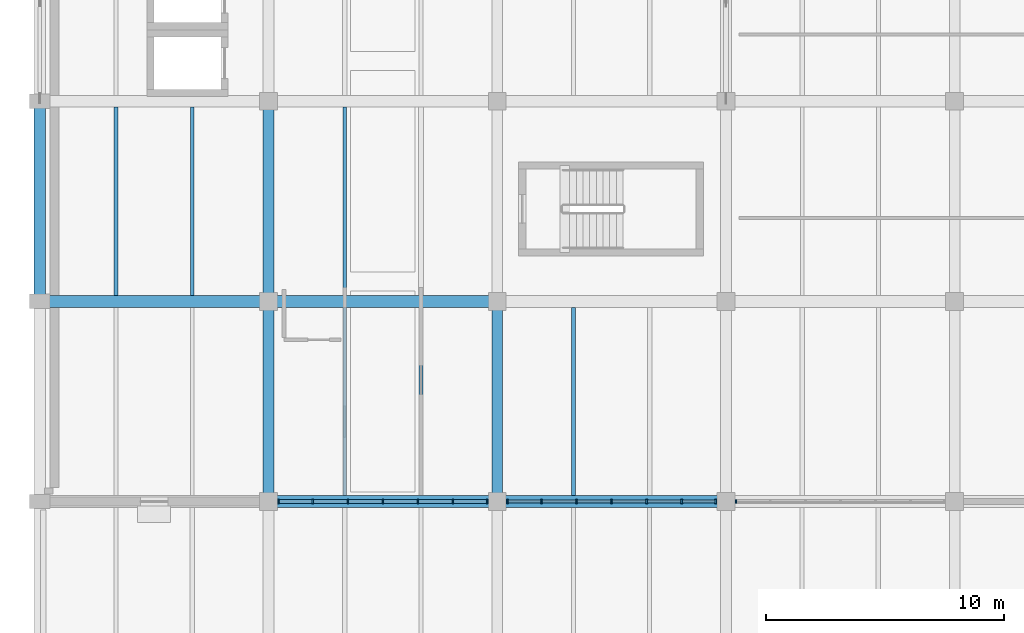
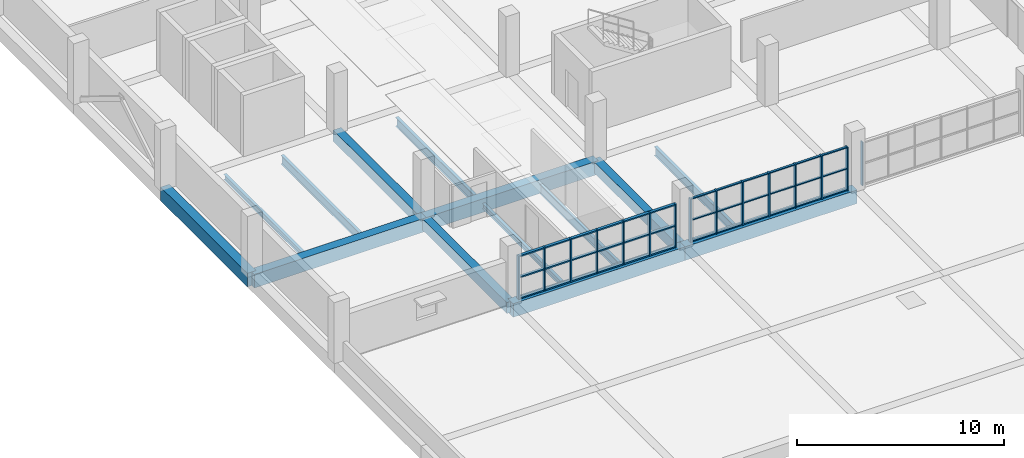
# One storey, part 22 of 147: 51 members, 14 beams, 3 elements without a shape of their own.
"""IFC4 building model written with IfcOpenShell, lengths in metres."""

from ifc_helpers import new_model, si_unit, direction, frame, origin, origin_2d, place, context, subcontext, project, spatial, rectangle, i_section, extrude, material, material_profile, profile_set, type_object, element, aggregate, save


model = new_model("IFC4")

# Units and contexts
model_context = context("Model", 3, precision=1e-05, world=origin(), true_north=direction((0.0, 1.0)))
body_context = subcontext(model_context, "Body", "Model", "MODEL_VIEW")
ifc_project = project(units=[si_unit("LENGTHUNIT", "METRE"), si_unit("AREAUNIT", "SQUARE_METRE"), si_unit("VOLUMEUNIT", "CUBIC_METRE"), si_unit("PLANEANGLEUNIT", "RADIAN"), si_unit("MASSUNIT", "GRAM", prefix="KILO")], contexts=[model_context])

# Site, building, storey
site_placement = place(None, origin())
site = spatial("IfcSite", under=ifc_project, at=site_placement, CompositionType="ELEMENT")
building_placement = place(site_placement, origin())
building = spatial("IfcBuilding", under=site, at=building_placement, Name="Oolite Switchyard Hospital", CompositionType="ELEMENT")
storey_placement = place(building_placement, frame((0.0, 0.0, 9.89990234375)))
storey = spatial("IfcBuildingStorey", under=building, at=storey_placement, Name="L02", CompositionType="ELEMENT", Elevation=9.89990234375)

# Beams
ifc_material_1 = material(Name="Concrete C40/50", Category="concrete")
ifc_material_profile_1 = material_profile(ifc_material_1, rectangle(XDim=0.449951171875, YDim=0.64990234375, at=origin_2d()), Name="RCB450X650")
ifc_profile_set_1 = profile_set([ifc_material_profile_1], Name="Concrete C40/50")
beam_type_1 = type_object("IfcBeamType", Name="BM-RC450X650", PredefinedType="BEAM", material=ifc_profile_set_1)
for number, where, z_axis, x_axis, name in (
    (1, (9.60009765625, 33.60009765625, -0.324951171875), (0.0, 1.0, 0.0), (-1.0, 0.0, 0.0), "L02 Y-Girder 1265"),
    (2, (9.60009765625, 42.0, -0.324951171875), (0.0, 1.0, 0.0), (-1.0, 0.0, 0.0), "L02 Y-Girder 1266"),
    (3, (19.199951171875, 33.60009765625, -0.324951171875), (0.0, 1.0, 0.0), (-1.0, 0.0, 0.0), "L02 Y-Girder 1281"),
):
    element("IfcBeam", number, at=place(storey_placement, frame(where, z_axis=z_axis, x_axis=x_axis)), inside=storey, type_object=beam_type_1, Name=name, PredefinedType="BEAM", context=body_context, shape_type="SweptSolid", body=[
        extrude(rectangle(XDim=0.449951171875, YDim=0.64990234375, at=origin_2d()), origin(), (0.0, 0.0, 1.0), 8.39990234375),
    ])
ifc_material_profile_2 = material_profile(ifc_material_1, rectangle(XDim=0.5, YDim=0.800048828125, at=origin_2d()), Name="RCB500X800")
ifc_profile_set_2 = profile_set([ifc_material_profile_2], Name="Concrete C40/50")
beam_type_2 = type_object("IfcBeamType", Name="BM-RC500X800", PredefinedType="BEAM", material=ifc_profile_set_2)
beam_1_placement = place(storey_placement, frame((9.60009765625, 33.60009765625, -0.39990234375), z_axis=(1.0, 0.0, 0.0), x_axis=(0.0, 1.0, 0.0)))
element("IfcBeam", 4, at=beam_1_placement, inside=storey, type_object=beam_type_2, Name="L02 X-Girder 1035", PredefinedType="BEAM", context=body_context, shape_type="SweptSolid", body=[
    extrude(rectangle(XDim=0.5, YDim=0.800048828125, at=origin_2d()), origin(), (0.0, 0.0, 1.0), 9.599853515625),
])
for number, where, z_axis, x_axis, name in (
    (5, (19.199951171875, 33.60009765625, -0.39990234375), (1.0, 0.0, 0.0), (0.0, 1.0, 0.0), "L02 X-Girder 1036"),
    (6, (0.0, 42.0, -0.39990234375), (1.0, 0.0, 0.0), (0.0, 1.0, 0.0), "L02 X-Girder 1050"),
):
    element("IfcBeam", number, at=place(storey_placement, frame(where, z_axis=z_axis, x_axis=x_axis)), inside=storey, type_object=beam_type_2, Name=name, PredefinedType="BEAM", context=body_context, shape_type="SweptSolid", body=[
        extrude(rectangle(XDim=0.5, YDim=0.800048828125, at=origin_2d()), origin(), (0.0, 0.0, 1.0), 9.60009765625),
    ])
beam_2_placement = place(storey_placement, frame((9.60009765625, 42.0, -0.39990234375), z_axis=(1.0, 0.0, 0.0), x_axis=(0.0, 1.0, 0.0)))
element("IfcBeam", 7, at=beam_2_placement, inside=storey, type_object=beam_type_2, Name="L02 X-Girder 1051", PredefinedType="BEAM", context=body_context, shape_type="SweptSolid", body=[
    extrude(rectangle(XDim=0.5, YDim=0.800048828125, at=origin_2d()), origin(), (0.0, 0.0, 1.0), 9.599853515625),
])
beam_3_placement = place(storey_placement, frame((0.0, 42.0, -0.39990234375), z_axis=(0.0, 1.0, 0.0), x_axis=(-1.0, 0.0, 0.0)))
element("IfcBeam", 8, at=beam_3_placement, inside=storey, type_object=beam_type_2, Name="L02 Y-Girder 1253", PredefinedType="BEAM", context=body_context, shape_type="SweptSolid", body=[
    extrude(rectangle(XDim=0.5, YDim=0.800048828125, at=origin_2d()), origin(), (0.0, 0.0, 1.0), 8.39990234375),
])
ifc_material_2 = material(Name="Steel ASTM A992 Grade 50", Category="steel")
ifc_material_profile_3 = material_profile(ifc_material_2, i_section(OverallWidth=0.1650390625, OverallDepth=0.31005859375, WebThickness=0.006103515625, FlangeThickness=0.010009765625, at=origin_2d()), Name="W12X26")
ifc_profile_set_3 = profile_set([ifc_material_profile_3], Name="Steel ASTM A992 Grade 50")
beam_type_3 = type_object("IfcBeamType", Name="BM-W12X26", PredefinedType="JOIST", material=ifc_profile_set_3)
for number, where, z_axis, x_axis, name in (
    (9, (3.199951171875, 42.25, -0.414794921875), (0.0, 1.0, 0.0), (-1.0, 0.0, 0.0), "L02 Secondary Steel Joist 1518"),
    (10, (12.800048828125, 33.85009765625, -0.414794921875), (0.0, 1.0, 0.0), (-1.0, 0.0, 0.0), "L02 Secondary Steel Joist 1540"),
):
    element("IfcBeam", number, at=place(storey_placement, frame(where, z_axis=z_axis, x_axis=x_axis)), inside=storey, type_object=beam_type_3, Name=name, PredefinedType="JOIST", context=body_context, shape_type="SweptSolid", body=[
        extrude(i_section(OverallWidth=0.1650390625, OverallDepth=0.31005859375, WebThickness=0.006103515625, FlangeThickness=0.010009765625, at=origin_2d()), origin(), (0.0, 0.0, 1.0), 7.89990234375),
    ])
ifc_material_profile_4 = material_profile(ifc_material_2, i_section(OverallWidth=0.166015625, OverallDepth=0.529052734375, WebThickness=0.010009765625, FlangeThickness=0.013916015625, at=origin_2d()), Name="W21X50")
ifc_profile_set_4 = profile_set([ifc_material_profile_4], Name="Steel ASTM A992 Grade 50")
beam_type_4 = type_object("IfcBeamType", Name="BM-W21X50", PredefinedType="JOIST", material=ifc_profile_set_4)
for number, where, z_axis, x_axis, name in (
    (11, (6.39990234375, 42.25, -0.52392578125), (0.0, 1.0, 0.0), (-1.0, 0.0, 0.0), "L02 Secondary Steel Joist 1519"),
    (12, (16.0, 33.85009765625, -0.52392578125), (0.0, 1.0, 0.0), (-1.0, 0.0, 0.0), "L02 Secondary Steel Joist 1541"),
    (13, (12.800048828125, 42.25, -0.52392578125), (0.0, 1.0, 0.0), (-1.0, 0.0, 0.0), "L02 Secondary Steel Joist 1542"),
    (14, (22.39990234375, 33.85009765625, -0.52392578125), (0.0, 1.0, 0.0), (-1.0, 0.0, 0.0), "L02 Secondary Steel Joist 1572"),
):
    element("IfcBeam", number, at=place(storey_placement, frame(where, z_axis=z_axis, x_axis=x_axis)), inside=storey, type_object=beam_type_4, Name=name, PredefinedType="JOIST", context=body_context, shape_type="SweptSolid", body=[
        extrude(i_section(OverallWidth=0.166015625, OverallDepth=0.529052734375, WebThickness=0.010009765625, FlangeThickness=0.013916015625, at=origin_2d()), origin(), (0.0, 0.0, 1.0), 7.89990234375),
    ])

# Curtain wall, member
ifc_material_3 = material(Name="Thermally broken aluminum frame with laminated impact glazing", Category="aluminium")
curtain_wall_type = type_object("IfcCurtainWallType", Name="CW-UNIT-96X36", PredefinedType="USERDEFINED", material=ifc_material_3)
curtain_wall_1_placement = place(storey_placement, origin())
curtain_wall_1 = element("IfcCurtainWall", 15, at=curtain_wall_1_placement, inside=storey, type_object=curtain_wall_type, Name="L02 Unitised Curtain Wall 223", ObjectType="UNITISED", PredefinedType="USERDEFINED")
ifc_material_4 = material(Name="Aluminium 6063-T6", Category="aluminium")
ifc_material_profile_5 = material_profile(ifc_material_4, rectangle(XDim=0.159912109375, YDim=0.06005859375, at=origin_2d()), Name="CWM60X160")
ifc_profile_set_5 = profile_set([ifc_material_profile_5], Name="Aluminium 6063-T6")
member_type_1 = type_object("IfcMemberType", Name="CW-MUL-180", PredefinedType="MULLION", material=ifc_profile_set_5)
member_1_placement = place(storey_placement, frame((29.219970703125, 33.60009765625, 0.0), z_axis=(0.0, 0.0, 1.0), x_axis=(0.0, -1.0, 0.0)))
member_1 = element("IfcMember", 16, at=member_1_placement, type_object=member_type_1, Name="CW-03 mullion 7", PredefinedType="MULLION", context=body_context, shape_type="SweptSolid", body=[
    extrude(rectangle(XDim=0.159912109375, YDim=0.06005859375, at=origin_2d()), origin(), (0.0, 0.0, 1.0), 2.570068359375),
])
aggregate(curtain_wall_1, [member_1])

# Curtain wall, members
curtain_wall_2_placement = place(storey_placement, origin())
curtain_wall_2 = element("IfcCurtainWall", 17, at=curtain_wall_2_placement, inside=storey, type_object=curtain_wall_type, Name="L02 Unitised Curtain Wall 221", ObjectType="UNITISED", PredefinedType="USERDEFINED")
ifc_material_profile_6 = material_profile(ifc_material_4, rectangle(XDim=0.179931640625, YDim=0.070068359375, at=origin_2d()), Name="CWM70X180")
ifc_profile_set_6 = profile_set([ifc_material_profile_6], Name="Aluminium 6063-T6")
member_type_2 = type_object("IfcMemberType", Name="CW-MUL-220", PredefinedType="MULLION", material=ifc_profile_set_6)
member_2_placement = place(storey_placement, frame((18.77490234375, 33.60009765625, 0.0), z_axis=(0.0, 0.0, 1.0), x_axis=(0.0, -1.0, 0.0)))
member_2 = element("IfcMember", 18, at=member_2_placement, type_object=member_type_2, Name="CW-03 mullion 1", PredefinedType="MULLION", context=body_context, shape_type="SweptSolid", body=[
    extrude(rectangle(XDim=0.179931640625, YDim=0.070068359375, at=origin_2d()), origin(), (0.0, 0.0, 1.0), 2.570068359375),
])
member_3_placement = place(storey_placement, frame((17.340087890625, 33.60009765625, 0.0), z_axis=(0.0, 0.0, 1.0), x_axis=(0.0, -1.0, 0.0)))
member_3 = element("IfcMember", 19, at=member_3_placement, type_object=member_type_2, Name="CW-03 mullion 2", PredefinedType="MULLION", context=body_context, shape_type="SweptSolid", body=[
    extrude(rectangle(XDim=0.179931640625, YDim=0.070068359375, at=origin_2d()), origin(), (0.0, 0.0, 1.0), 2.570068359375),
])
member_4_placement = place(storey_placement, frame((15.8701171875, 33.60009765625, 0.0), z_axis=(0.0, 0.0, 1.0), x_axis=(0.0, -1.0, 0.0)))
member_4 = element("IfcMember", 20, at=member_4_placement, type_object=member_type_2, Name="CW-03 mullion 3", PredefinedType="MULLION", context=body_context, shape_type="SweptSolid", body=[
    extrude(rectangle(XDim=0.179931640625, YDim=0.070068359375, at=origin_2d()), origin(), (0.0, 0.0, 1.0), 2.570068359375),
])
member_5_placement = place(storey_placement, frame((14.39990234375, 33.60009765625, 0.0), z_axis=(0.0, 0.0, 1.0), x_axis=(0.0, -1.0, 0.0)))
member_5 = element("IfcMember", 21, at=member_5_placement, type_object=member_type_2, Name="CW-03 mullion 4", PredefinedType="MULLION", context=body_context, shape_type="SweptSolid", body=[
    extrude(rectangle(XDim=0.179931640625, YDim=0.070068359375, at=origin_2d()), origin(), (0.0, 0.0, 1.0), 2.570068359375),
])
member_6_placement = place(storey_placement, frame((12.929931640625, 33.60009765625, 0.0), z_axis=(0.0, 0.0, 1.0), x_axis=(0.0, -1.0, 0.0)))
member_6 = element("IfcMember", 22, at=member_6_placement, type_object=member_type_2, Name="CW-03 mullion 5", PredefinedType="MULLION", context=body_context, shape_type="SweptSolid", body=[
    extrude(rectangle(XDim=0.179931640625, YDim=0.070068359375, at=origin_2d()), origin(), (0.0, 0.0, 1.0), 2.570068359375),
])
member_7_placement = place(storey_placement, frame((11.4599609375, 33.60009765625, 0.0), z_axis=(0.0, 0.0, 1.0), x_axis=(0.0, -1.0, 0.0)))
member_7 = element("IfcMember", 23, at=member_7_placement, type_object=member_type_2, Name="CW-03 mullion 6", PredefinedType="MULLION", context=body_context, shape_type="SweptSolid", body=[
    extrude(rectangle(XDim=0.179931640625, YDim=0.070068359375, at=origin_2d()), origin(), (0.0, 0.0, 1.0), 2.570068359375),
])
member_8_placement = place(storey_placement, frame((10.02490234375, 33.60009765625, 0.0), z_axis=(0.0, 0.0, 1.0), x_axis=(0.0, -1.0, 0.0)))
member_8 = element("IfcMember", 24, at=member_8_placement, type_object=member_type_2, Name="CW-03 mullion 7", PredefinedType="MULLION", context=body_context, shape_type="SweptSolid", body=[
    extrude(rectangle(XDim=0.179931640625, YDim=0.070068359375, at=origin_2d()), origin(), (0.0, 0.0, 1.0), 2.570068359375),
])

curtain_wall_3_placement = place(storey_placement, origin())
curtain_wall_3 = element("IfcCurtainWall", 25, at=curtain_wall_3_placement, inside=storey, type_object=curtain_wall_type, Name="L02 Unitised Curtain Wall 222", ObjectType="UNITISED", PredefinedType="USERDEFINED")
ifc_material_profile_7 = material_profile(ifc_material_4, rectangle(XDim=0.199951171875, YDim=0.074951171875, at=origin_2d()), Name="CWM75X200")
ifc_profile_set_7 = profile_set([ifc_material_profile_7], Name="Aluminium 6063-T6")
member_type_3 = type_object("IfcMemberType", Name="CW-MUL-260", PredefinedType="MULLION", material=ifc_profile_set_7)
member_9_placement = place(storey_placement, frame((28.37255859375, 33.60009765625, 0.0), z_axis=(0.0, 0.0, 1.0), x_axis=(0.0, -1.0, 0.0)))
member_9 = element("IfcMember", 26, at=member_9_placement, type_object=member_type_3, Name="CW-03 mullion 1", PredefinedType="MULLION", context=body_context, shape_type="SweptSolid", body=[
    extrude(rectangle(XDim=0.199951171875, YDim=0.074951171875, at=origin_2d()), origin(), (0.0, 0.0, 1.0), 2.570068359375),
])
member_10_placement = place(storey_placement, frame((26.93994140625, 33.60009765625, 0.0), z_axis=(0.0, 0.0, 1.0), x_axis=(0.0, -1.0, 0.0)))
member_10 = element("IfcMember", 27, at=member_10_placement, type_object=member_type_3, Name="CW-03 mullion 2", PredefinedType="MULLION", context=body_context, shape_type="SweptSolid", body=[
    extrude(rectangle(XDim=0.199951171875, YDim=0.074951171875, at=origin_2d()), origin(), (0.0, 0.0, 1.0), 2.570068359375),
])
member_11_placement = place(storey_placement, frame((25.469970703125, 33.60009765625, 0.0), z_axis=(0.0, 0.0, 1.0), x_axis=(0.0, -1.0, 0.0)))
member_11 = element("IfcMember", 28, at=member_11_placement, type_object=member_type_3, Name="CW-03 mullion 3", PredefinedType="MULLION", context=body_context, shape_type="SweptSolid", body=[
    extrude(rectangle(XDim=0.199951171875, YDim=0.074951171875, at=origin_2d()), origin(), (0.0, 0.0, 1.0), 2.570068359375),
])
member_12_placement = place(storey_placement, frame((24.0, 33.60009765625, 0.0), z_axis=(0.0, 0.0, 1.0), x_axis=(0.0, -1.0, 0.0)))
member_12 = element("IfcMember", 29, at=member_12_placement, type_object=member_type_3, Name="CW-03 mullion 4", PredefinedType="MULLION", context=body_context, shape_type="SweptSolid", body=[
    extrude(rectangle(XDim=0.199951171875, YDim=0.074951171875, at=origin_2d()), origin(), (0.0, 0.0, 1.0), 2.570068359375),
])
member_13_placement = place(storey_placement, frame((22.530029296875, 33.60009765625, 0.0), z_axis=(0.0, 0.0, 1.0), x_axis=(0.0, -1.0, 0.0)))
member_13 = element("IfcMember", 30, at=member_13_placement, type_object=member_type_3, Name="CW-03 mullion 5", PredefinedType="MULLION", context=body_context, shape_type="SweptSolid", body=[
    extrude(rectangle(XDim=0.199951171875, YDim=0.074951171875, at=origin_2d()), origin(), (0.0, 0.0, 1.0), 2.570068359375),
])
member_14_placement = place(storey_placement, frame((21.06005859375, 33.60009765625, 0.0), z_axis=(0.0, 0.0, 1.0), x_axis=(0.0, -1.0, 0.0)))
member_14 = element("IfcMember", 31, at=member_14_placement, type_object=member_type_3, Name="CW-03 mullion 6", PredefinedType="MULLION", context=body_context, shape_type="SweptSolid", body=[
    extrude(rectangle(XDim=0.199951171875, YDim=0.074951171875, at=origin_2d()), origin(), (0.0, 0.0, 1.0), 2.570068359375),
])
member_15_placement = place(storey_placement, frame((19.62744140625, 33.60009765625, 0.0), z_axis=(0.0, 0.0, 1.0), x_axis=(0.0, -1.0, 0.0)))
member_15 = element("IfcMember", 32, at=member_15_placement, type_object=member_type_3, Name="CW-03 mullion 7", PredefinedType="MULLION", context=body_context, shape_type="SweptSolid", body=[
    extrude(rectangle(XDim=0.199951171875, YDim=0.074951171875, at=origin_2d()), origin(), (0.0, 0.0, 1.0), 2.570068359375),
])
ifc_material_profile_8 = material_profile(ifc_material_4, rectangle(XDim=0.1201171875, YDim=0.06005859375, at=origin_2d()), Name="CWT60X120")
ifc_profile_set_8 = profile_set([ifc_material_profile_8], Name="Aluminium 6063-T6")
member_type_4 = type_object("IfcMemberType", Name="CW-TRN-150", PredefinedType="USERDEFINED", material=ifc_profile_set_8)
member_16_placement = place(storey_placement, frame((28.3349609375, 33.60009765625, 0.030029296875), z_axis=(-1.0, 0.0, 0.0), x_axis=(0.0, -1.0, 0.0)))
member_16 = element("IfcMember", 33, at=member_16_placement, type_object=member_type_4, Name="CW-03 transom 1.1", ObjectType="TRANSOM", PredefinedType="USERDEFINED", context=body_context, shape_type="SweptSolid", body=[
    extrude(rectangle(XDim=0.1201171875, YDim=0.06005859375, at=origin_2d()), origin(), (0.0, 0.0, 1.0), 1.357421875),
])
member_17_placement = place(storey_placement, frame((28.3349609375, 33.60009765625, 1.28515625), z_axis=(-1.0, 0.0, 0.0), x_axis=(0.0, -1.0, 0.0)))
member_17 = element("IfcMember", 34, at=member_17_placement, type_object=member_type_4, Name="CW-03 transom 1.2", ObjectType="TRANSOM", PredefinedType="USERDEFINED", context=body_context, shape_type="SweptSolid", body=[
    extrude(rectangle(XDim=0.1201171875, YDim=0.06005859375, at=origin_2d()), origin(), (0.0, 0.0, 1.0), 1.357421875),
])
member_18_placement = place(storey_placement, frame((28.3349609375, 33.60009765625, 2.5400390625), z_axis=(-1.0, 0.0, 0.0), x_axis=(0.0, -1.0, 0.0)))
member_18 = element("IfcMember", 35, at=member_18_placement, type_object=member_type_4, Name="CW-03 transom 1.3", ObjectType="TRANSOM", PredefinedType="USERDEFINED", context=body_context, shape_type="SweptSolid", body=[
    extrude(rectangle(XDim=0.1201171875, YDim=0.06005859375, at=origin_2d()), origin(), (0.0, 0.0, 1.0), 1.357421875),
])
member_19_placement = place(storey_placement, frame((26.902587890625, 33.60009765625, 0.030029296875), z_axis=(-1.0, 0.0, 0.0), x_axis=(0.0, -1.0, 0.0)))
member_19 = element("IfcMember", 36, at=member_19_placement, type_object=member_type_4, Name="CW-03 transom 2.1", ObjectType="TRANSOM", PredefinedType="USERDEFINED", context=body_context, shape_type="SweptSolid", body=[
    extrude(rectangle(XDim=0.1201171875, YDim=0.06005859375, at=origin_2d()), origin(), (0.0, 0.0, 1.0), 1.39501953125),
])
member_20_placement = place(storey_placement, frame((26.902587890625, 33.60009765625, 1.28515625), z_axis=(-1.0, 0.0, 0.0), x_axis=(0.0, -1.0, 0.0)))
member_20 = element("IfcMember", 37, at=member_20_placement, type_object=member_type_4, Name="CW-03 transom 2.2", ObjectType="TRANSOM", PredefinedType="USERDEFINED", context=body_context, shape_type="SweptSolid", body=[
    extrude(rectangle(XDim=0.1201171875, YDim=0.06005859375, at=origin_2d()), origin(), (0.0, 0.0, 1.0), 1.39501953125),
])
member_21_placement = place(storey_placement, frame((26.902587890625, 33.60009765625, 2.5400390625), z_axis=(-1.0, 0.0, 0.0), x_axis=(0.0, -1.0, 0.0)))
member_21 = element("IfcMember", 38, at=member_21_placement, type_object=member_type_4, Name="CW-03 transom 2.3", ObjectType="TRANSOM", PredefinedType="USERDEFINED", context=body_context, shape_type="SweptSolid", body=[
    extrude(rectangle(XDim=0.1201171875, YDim=0.06005859375, at=origin_2d()), origin(), (0.0, 0.0, 1.0), 1.39501953125),
])
member_22_placement = place(storey_placement, frame((25.4326171875, 33.60009765625, 0.030029296875), z_axis=(-1.0, 0.0, 0.0), x_axis=(0.0, -1.0, 0.0)))
member_22 = element("IfcMember", 39, at=member_22_placement, type_object=member_type_4, Name="CW-03 transom 3.1", ObjectType="TRANSOM", PredefinedType="USERDEFINED", context=body_context, shape_type="SweptSolid", body=[
    extrude(rectangle(XDim=0.1201171875, YDim=0.06005859375, at=origin_2d()), origin(), (0.0, 0.0, 1.0), 1.39501953125),
])
member_23_placement = place(storey_placement, frame((25.4326171875, 33.60009765625, 1.28515625), z_axis=(-1.0, 0.0, 0.0), x_axis=(0.0, -1.0, 0.0)))
member_23 = element("IfcMember", 40, at=member_23_placement, type_object=member_type_4, Name="CW-03 transom 3.2", ObjectType="TRANSOM", PredefinedType="USERDEFINED", context=body_context, shape_type="SweptSolid", body=[
    extrude(rectangle(XDim=0.1201171875, YDim=0.06005859375, at=origin_2d()), origin(), (0.0, 0.0, 1.0), 1.39501953125),
])
member_24_placement = place(storey_placement, frame((25.4326171875, 33.60009765625, 2.5400390625), z_axis=(-1.0, 0.0, 0.0), x_axis=(0.0, -1.0, 0.0)))
member_24 = element("IfcMember", 41, at=member_24_placement, type_object=member_type_4, Name="CW-03 transom 3.3", ObjectType="TRANSOM", PredefinedType="USERDEFINED", context=body_context, shape_type="SweptSolid", body=[
    extrude(rectangle(XDim=0.1201171875, YDim=0.06005859375, at=origin_2d()), origin(), (0.0, 0.0, 1.0), 1.39501953125),
])
member_25_placement = place(storey_placement, frame((23.96240234375, 33.60009765625, 0.030029296875), z_axis=(-1.0, 0.0, 0.0), x_axis=(0.0, -1.0, 0.0)))
member_25 = element("IfcMember", 42, at=member_25_placement, type_object=member_type_4, Name="CW-03 transom 4.1", ObjectType="TRANSOM", PredefinedType="USERDEFINED", context=body_context, shape_type="SweptSolid", body=[
    extrude(rectangle(XDim=0.1201171875, YDim=0.06005859375, at=origin_2d()), origin(), (0.0, 0.0, 1.0), 1.39501953125),
])
member_26_placement = place(storey_placement, frame((23.96240234375, 33.60009765625, 1.28515625), z_axis=(-1.0, 0.0, 0.0), x_axis=(0.0, -1.0, 0.0)))
member_26 = element("IfcMember", 43, at=member_26_placement, type_object=member_type_4, Name="CW-03 transom 4.2", ObjectType="TRANSOM", PredefinedType="USERDEFINED", context=body_context, shape_type="SweptSolid", body=[
    extrude(rectangle(XDim=0.1201171875, YDim=0.06005859375, at=origin_2d()), origin(), (0.0, 0.0, 1.0), 1.39501953125),
])
member_27_placement = place(storey_placement, frame((23.96240234375, 33.60009765625, 2.5400390625), z_axis=(-1.0, 0.0, 0.0), x_axis=(0.0, -1.0, 0.0)))
member_27 = element("IfcMember", 44, at=member_27_placement, type_object=member_type_4, Name="CW-03 transom 4.3", ObjectType="TRANSOM", PredefinedType="USERDEFINED", context=body_context, shape_type="SweptSolid", body=[
    extrude(rectangle(XDim=0.1201171875, YDim=0.06005859375, at=origin_2d()), origin(), (0.0, 0.0, 1.0), 1.39501953125),
])
member_28_placement = place(storey_placement, frame((22.492431640625, 33.60009765625, 0.030029296875), z_axis=(-1.0, 0.0, 0.0), x_axis=(0.0, -1.0, 0.0)))
member_28 = element("IfcMember", 45, at=member_28_placement, type_object=member_type_4, Name="CW-03 transom 5.1", ObjectType="TRANSOM", PredefinedType="USERDEFINED", context=body_context, shape_type="SweptSolid", body=[
    extrude(rectangle(XDim=0.1201171875, YDim=0.06005859375, at=origin_2d()), origin(), (0.0, 0.0, 1.0), 1.39501953125),
])
member_29_placement = place(storey_placement, frame((22.492431640625, 33.60009765625, 1.28515625), z_axis=(-1.0, 0.0, 0.0), x_axis=(0.0, -1.0, 0.0)))
member_29 = element("IfcMember", 46, at=member_29_placement, type_object=member_type_4, Name="CW-03 transom 5.2", ObjectType="TRANSOM", PredefinedType="USERDEFINED", context=body_context, shape_type="SweptSolid", body=[
    extrude(rectangle(XDim=0.1201171875, YDim=0.06005859375, at=origin_2d()), origin(), (0.0, 0.0, 1.0), 1.39501953125),
])
member_30_placement = place(storey_placement, frame((22.492431640625, 33.60009765625, 2.5400390625), z_axis=(-1.0, 0.0, 0.0), x_axis=(0.0, -1.0, 0.0)))
member_30 = element("IfcMember", 47, at=member_30_placement, type_object=member_type_4, Name="CW-03 transom 5.3", ObjectType="TRANSOM", PredefinedType="USERDEFINED", context=body_context, shape_type="SweptSolid", body=[
    extrude(rectangle(XDim=0.1201171875, YDim=0.06005859375, at=origin_2d()), origin(), (0.0, 0.0, 1.0), 1.39501953125),
])
member_31_placement = place(storey_placement, frame((21.0224609375, 33.60009765625, 0.030029296875), z_axis=(-1.0, 0.0, 0.0), x_axis=(0.0, -1.0, 0.0)))
member_31 = element("IfcMember", 48, at=member_31_placement, type_object=member_type_4, Name="CW-03 transom 6.1", ObjectType="TRANSOM", PredefinedType="USERDEFINED", context=body_context, shape_type="SweptSolid", body=[
    extrude(rectangle(XDim=0.1201171875, YDim=0.06005859375, at=origin_2d()), origin(), (0.0, 0.0, 1.0), 1.357421875),
])
member_32_placement = place(storey_placement, frame((21.0224609375, 33.60009765625, 1.28515625), z_axis=(-1.0, 0.0, 0.0), x_axis=(0.0, -1.0, 0.0)))
member_32 = element("IfcMember", 49, at=member_32_placement, type_object=member_type_4, Name="CW-03 transom 6.2", ObjectType="TRANSOM", PredefinedType="USERDEFINED", context=body_context, shape_type="SweptSolid", body=[
    extrude(rectangle(XDim=0.1201171875, YDim=0.06005859375, at=origin_2d()), origin(), (0.0, 0.0, 1.0), 1.357421875),
])
member_33_placement = place(storey_placement, frame((21.0224609375, 33.60009765625, 2.5400390625), z_axis=(-1.0, 0.0, 0.0), x_axis=(0.0, -1.0, 0.0)))
member_33 = element("IfcMember", 50, at=member_33_placement, type_object=member_type_4, Name="CW-03 transom 6.3", ObjectType="TRANSOM", PredefinedType="USERDEFINED", context=body_context, shape_type="SweptSolid", body=[
    extrude(rectangle(XDim=0.1201171875, YDim=0.06005859375, at=origin_2d()), origin(), (0.0, 0.0, 1.0), 1.357421875),
])
aggregate(curtain_wall_3, [member_9, member_10, member_11, member_12, member_13, member_14, member_15, member_16, member_17, member_18, member_19, member_20, member_21, member_22, member_23, member_24, member_25, member_26, member_27, member_28, member_29, member_30, member_31, member_32, member_33])

# Member
ifc_material_profile_9 = material_profile(ifc_material_4, rectangle(XDim=0.159912109375, YDim=0.074951171875, at=origin_2d()), Name="CWT75X160")
ifc_profile_set_9 = profile_set([ifc_material_profile_9], Name="Aluminium 6063-T6")
member_type_5 = type_object("IfcMemberType", Name="CW-TRN-180", PredefinedType="USERDEFINED", material=ifc_profile_set_9)
member_34_placement = place(storey_placement, frame((18.739990234375, 33.60009765625, 0.03759765625), z_axis=(-1.0, 0.0, 0.0), x_axis=(0.0, -1.0, 0.0)))
member_34 = element("IfcMember", 51, at=member_34_placement, type_object=member_type_5, Name="CW-03 transom 1.1", ObjectType="TRANSOM", PredefinedType="USERDEFINED", context=body_context, shape_type="SweptSolid", body=[
    extrude(rectangle(XDim=0.159912109375, YDim=0.074951171875, at=origin_2d()), origin(), (0.0, 0.0, 1.0), 1.364990234375),
])

member_35_placement = place(storey_placement, frame((18.739990234375, 33.60009765625, 1.28515625), z_axis=(-1.0, 0.0, 0.0), x_axis=(0.0, -1.0, 0.0)))
member_35 = element("IfcMember", 52, at=member_35_placement, type_object=member_type_5, Name="CW-03 transom 1.2", ObjectType="TRANSOM", PredefinedType="USERDEFINED", context=body_context, shape_type="SweptSolid", body=[
    extrude(rectangle(XDim=0.159912109375, YDim=0.074951171875, at=origin_2d()), origin(), (0.0, 0.0, 1.0), 1.364990234375),
])

member_36_placement = place(storey_placement, frame((18.739990234375, 33.60009765625, 2.53271484375), z_axis=(-1.0, 0.0, 0.0), x_axis=(0.0, -1.0, 0.0)))
member_36 = element("IfcMember", 53, at=member_36_placement, type_object=member_type_5, Name="CW-03 transom 1.3", ObjectType="TRANSOM", PredefinedType="USERDEFINED", context=body_context, shape_type="SweptSolid", body=[
    extrude(rectangle(XDim=0.159912109375, YDim=0.074951171875, at=origin_2d()), origin(), (0.0, 0.0, 1.0), 1.364990234375),
])

member_37_placement = place(storey_placement, frame((17.304931640625, 33.60009765625, 0.03759765625), z_axis=(-1.0, 0.0, 0.0), x_axis=(0.0, -1.0, 0.0)))
member_37 = element("IfcMember", 54, at=member_37_placement, type_object=member_type_5, Name="CW-03 transom 2.1", ObjectType="TRANSOM", PredefinedType="USERDEFINED", context=body_context, shape_type="SweptSolid", body=[
    extrude(rectangle(XDim=0.159912109375, YDim=0.074951171875, at=origin_2d()), origin(), (0.0, 0.0, 1.0), 1.39990234375),
])

member_38_placement = place(storey_placement, frame((17.304931640625, 33.60009765625, 1.28515625), z_axis=(-1.0, 0.0, 0.0), x_axis=(0.0, -1.0, 0.0)))
member_38 = element("IfcMember", 55, at=member_38_placement, type_object=member_type_5, Name="CW-03 transom 2.2", ObjectType="TRANSOM", PredefinedType="USERDEFINED", context=body_context, shape_type="SweptSolid", body=[
    extrude(rectangle(XDim=0.159912109375, YDim=0.074951171875, at=origin_2d()), origin(), (0.0, 0.0, 1.0), 1.39990234375),
])

member_39_placement = place(storey_placement, frame((17.304931640625, 33.60009765625, 2.53271484375), z_axis=(-1.0, 0.0, 0.0), x_axis=(0.0, -1.0, 0.0)))
member_39 = element("IfcMember", 56, at=member_39_placement, type_object=member_type_5, Name="CW-03 transom 2.3", ObjectType="TRANSOM", PredefinedType="USERDEFINED", context=body_context, shape_type="SweptSolid", body=[
    extrude(rectangle(XDim=0.159912109375, YDim=0.074951171875, at=origin_2d()), origin(), (0.0, 0.0, 1.0), 1.39990234375),
])

member_40_placement = place(storey_placement, frame((15.8349609375, 33.60009765625, 0.03759765625), z_axis=(-1.0, 0.0, 0.0), x_axis=(0.0, -1.0, 0.0)))
member_40 = element("IfcMember", 57, at=member_40_placement, type_object=member_type_5, Name="CW-03 transom 3.1", ObjectType="TRANSOM", PredefinedType="USERDEFINED", context=body_context, shape_type="SweptSolid", body=[
    extrude(rectangle(XDim=0.159912109375, YDim=0.074951171875, at=origin_2d()), origin(), (0.0, 0.0, 1.0), 1.39990234375),
])

member_41_placement = place(storey_placement, frame((15.8349609375, 33.60009765625, 1.28515625), z_axis=(-1.0, 0.0, 0.0), x_axis=(0.0, -1.0, 0.0)))
member_41 = element("IfcMember", 58, at=member_41_placement, type_object=member_type_5, Name="CW-03 transom 3.2", ObjectType="TRANSOM", PredefinedType="USERDEFINED", context=body_context, shape_type="SweptSolid", body=[
    extrude(rectangle(XDim=0.159912109375, YDim=0.074951171875, at=origin_2d()), origin(), (0.0, 0.0, 1.0), 1.39990234375),
])

member_42_placement = place(storey_placement, frame((15.8349609375, 33.60009765625, 2.53271484375), z_axis=(-1.0, 0.0, 0.0), x_axis=(0.0, -1.0, 0.0)))
member_42 = element("IfcMember", 59, at=member_42_placement, type_object=member_type_5, Name="CW-03 transom 3.3", ObjectType="TRANSOM", PredefinedType="USERDEFINED", context=body_context, shape_type="SweptSolid", body=[
    extrude(rectangle(XDim=0.159912109375, YDim=0.074951171875, at=origin_2d()), origin(), (0.0, 0.0, 1.0), 1.39990234375),
])

member_43_placement = place(storey_placement, frame((14.364990234375, 33.60009765625, 0.03759765625), z_axis=(-1.0, 0.0, 0.0), x_axis=(0.0, -1.0, 0.0)))
member_43 = element("IfcMember", 60, at=member_43_placement, type_object=member_type_5, Name="CW-03 transom 4.1", ObjectType="TRANSOM", PredefinedType="USERDEFINED", context=body_context, shape_type="SweptSolid", body=[
    extrude(rectangle(XDim=0.159912109375, YDim=0.074951171875, at=origin_2d()), origin(), (0.0, 0.0, 1.0), 1.39990234375),
])

member_44_placement = place(storey_placement, frame((14.364990234375, 33.60009765625, 1.28515625), z_axis=(-1.0, 0.0, 0.0), x_axis=(0.0, -1.0, 0.0)))
member_44 = element("IfcMember", 61, at=member_44_placement, type_object=member_type_5, Name="CW-03 transom 4.2", ObjectType="TRANSOM", PredefinedType="USERDEFINED", context=body_context, shape_type="SweptSolid", body=[
    extrude(rectangle(XDim=0.159912109375, YDim=0.074951171875, at=origin_2d()), origin(), (0.0, 0.0, 1.0), 1.39990234375),
])

member_45_placement = place(storey_placement, frame((14.364990234375, 33.60009765625, 2.53271484375), z_axis=(-1.0, 0.0, 0.0), x_axis=(0.0, -1.0, 0.0)))
member_45 = element("IfcMember", 62, at=member_45_placement, type_object=member_type_5, Name="CW-03 transom 4.3", ObjectType="TRANSOM", PredefinedType="USERDEFINED", context=body_context, shape_type="SweptSolid", body=[
    extrude(rectangle(XDim=0.159912109375, YDim=0.074951171875, at=origin_2d()), origin(), (0.0, 0.0, 1.0), 1.39990234375),
])

member_46_placement = place(storey_placement, frame((12.89501953125, 33.60009765625, 0.03759765625), z_axis=(-1.0, 0.0, 0.0), x_axis=(0.0, -1.0, 0.0)))
member_46 = element("IfcMember", 63, at=member_46_placement, type_object=member_type_5, Name="CW-03 transom 5.1", ObjectType="TRANSOM", PredefinedType="USERDEFINED", context=body_context, shape_type="SweptSolid", body=[
    extrude(rectangle(XDim=0.159912109375, YDim=0.074951171875, at=origin_2d()), origin(), (0.0, 0.0, 1.0), 1.39990234375),
])

member_47_placement = place(storey_placement, frame((12.89501953125, 33.60009765625, 1.28515625), z_axis=(-1.0, 0.0, 0.0), x_axis=(0.0, -1.0, 0.0)))
member_47 = element("IfcMember", 64, at=member_47_placement, type_object=member_type_5, Name="CW-03 transom 5.2", ObjectType="TRANSOM", PredefinedType="USERDEFINED", context=body_context, shape_type="SweptSolid", body=[
    extrude(rectangle(XDim=0.159912109375, YDim=0.074951171875, at=origin_2d()), origin(), (0.0, 0.0, 1.0), 1.39990234375),
])

member_48_placement = place(storey_placement, frame((12.89501953125, 33.60009765625, 2.53271484375), z_axis=(-1.0, 0.0, 0.0), x_axis=(0.0, -1.0, 0.0)))
member_48 = element("IfcMember", 65, at=member_48_placement, type_object=member_type_5, Name="CW-03 transom 5.3", ObjectType="TRANSOM", PredefinedType="USERDEFINED", context=body_context, shape_type="SweptSolid", body=[
    extrude(rectangle(XDim=0.159912109375, YDim=0.074951171875, at=origin_2d()), origin(), (0.0, 0.0, 1.0), 1.39990234375),
])

member_49_placement = place(storey_placement, frame((11.425048828125, 33.60009765625, 0.03759765625), z_axis=(-1.0, 0.0, 0.0), x_axis=(0.0, -1.0, 0.0)))
member_49 = element("IfcMember", 66, at=member_49_placement, type_object=member_type_5, Name="CW-03 transom 6.1", ObjectType="TRANSOM", PredefinedType="USERDEFINED", context=body_context, shape_type="SweptSolid", body=[
    extrude(rectangle(XDim=0.159912109375, YDim=0.074951171875, at=origin_2d()), origin(), (0.0, 0.0, 1.0), 1.364990234375),
])

member_50_placement = place(storey_placement, frame((11.425048828125, 33.60009765625, 1.28515625), z_axis=(-1.0, 0.0, 0.0), x_axis=(0.0, -1.0, 0.0)))
member_50 = element("IfcMember", 67, at=member_50_placement, type_object=member_type_5, Name="CW-03 transom 6.2", ObjectType="TRANSOM", PredefinedType="USERDEFINED", context=body_context, shape_type="SweptSolid", body=[
    extrude(rectangle(XDim=0.159912109375, YDim=0.074951171875, at=origin_2d()), origin(), (0.0, 0.0, 1.0), 1.364990234375),
])

member_51_placement = place(storey_placement, frame((11.425048828125, 33.60009765625, 2.53271484375), z_axis=(-1.0, 0.0, 0.0), x_axis=(0.0, -1.0, 0.0)))
member_51 = element("IfcMember", 68, at=member_51_placement, type_object=member_type_5, Name="CW-03 transom 6.3", ObjectType="TRANSOM", PredefinedType="USERDEFINED", context=body_context, shape_type="SweptSolid", body=[
    extrude(rectangle(XDim=0.159912109375, YDim=0.074951171875, at=origin_2d()), origin(), (0.0, 0.0, 1.0), 1.364990234375),
])

aggregate(curtain_wall_2, [member_2, member_3, member_4, member_5, member_6, member_7, member_8, member_34, member_35, member_36, member_37, member_38, member_39, member_40, member_41, member_42, member_43, member_44, member_45, member_46, member_47, member_48, member_49, member_50, member_51])

save(model, "model.ifc")
